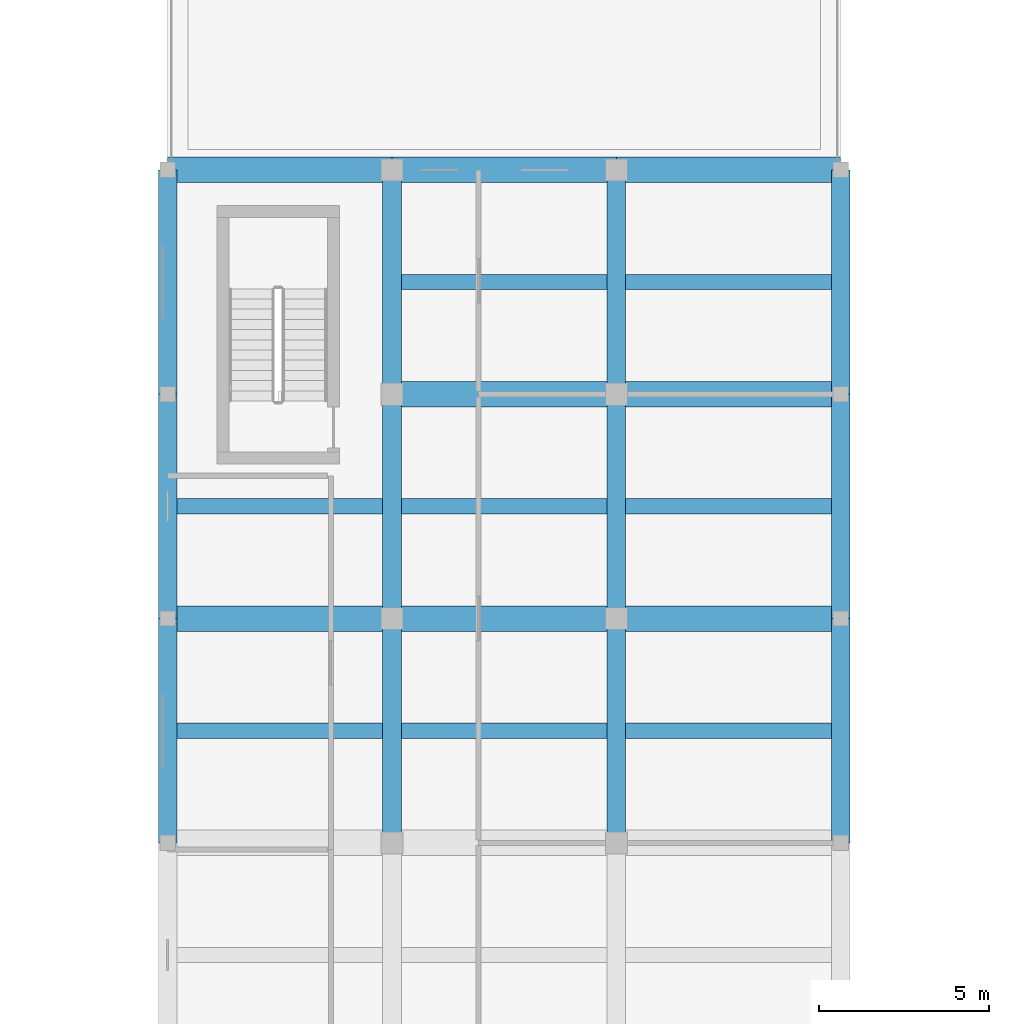
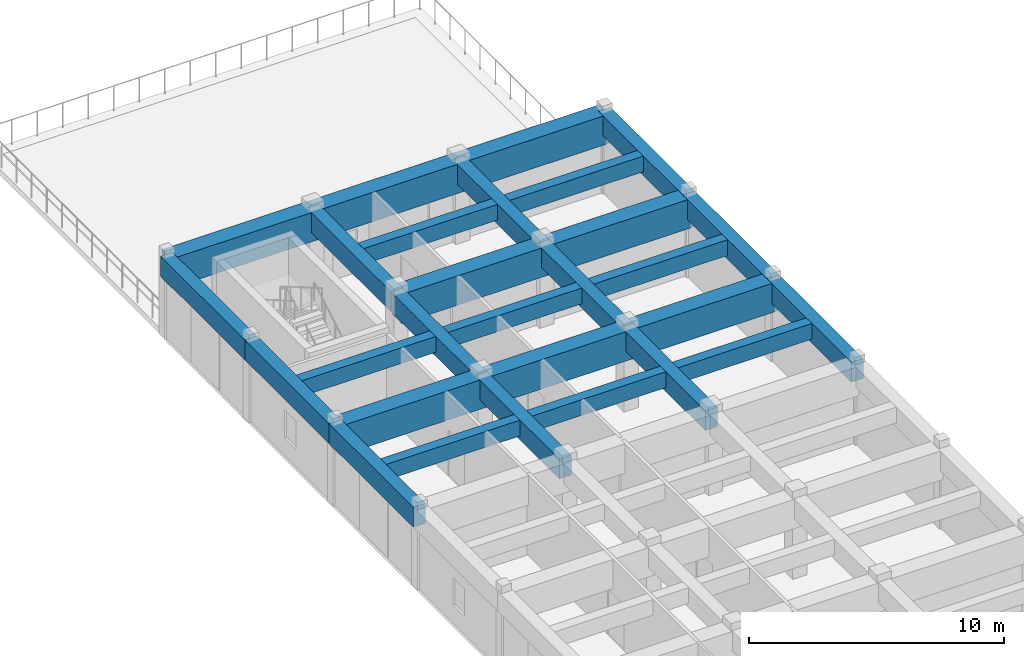
# One storey, part 88 of 130: 28 beams.
"""IFC4 building model written with IfcOpenShell, lengths in metres."""

from ifc_helpers import new_model, si_unit, direction, frame, origin, origin_2d, place, context, subcontext, project, spatial, rectangle, extrude, material, material_profile, profile_set, type_object, element, save


model = new_model("IFC4")

# Units and contexts
model_context = context("Model", 3, precision=1e-05, world=origin(), true_north=direction((0.0, 1.0)))
body_context = subcontext(model_context, "Body", "Model", "MODEL_VIEW")
ifc_project = project(units=[si_unit("LENGTHUNIT", "METRE"), si_unit("AREAUNIT", "SQUARE_METRE"), si_unit("VOLUMEUNIT", "CUBIC_METRE"), si_unit("PLANEANGLEUNIT", "RADIAN"), si_unit("MASSUNIT", "GRAM", prefix="KILO")], contexts=[model_context])

# Site, building, storey
site_placement = place(None, origin())
site = spatial("IfcSite", under=ifc_project, at=site_placement, CompositionType="ELEMENT")
building_placement = place(site_placement, origin())
building = spatial("IfcBuilding", under=site, at=building_placement, Name="Karori Crest Natural Sciences Institute", CompositionType="ELEMENT")
storey_placement = place(building_placement, frame((0.0, 0.0, 17.5)))
storey = spatial("IfcBuildingStorey", under=building, at=storey_placement, Name="L04", CompositionType="ELEMENT", Elevation=17.5)

# Beams
ifc_material = material(Name="Concrete 50 MPa", Category="concrete")
ifc_material_profile_1 = material_profile(ifc_material, rectangle(XDim=0.75, YDim=1.39990234375, at=origin_2d()), Name="RCB750x1400")
ifc_profile_set_1 = profile_set([ifc_material_profile_1], Name="Concrete 50 MPa")
beam_type_1 = type_object("IfcBeamType", Name="BT-17", PredefinedType="BEAM", material=ifc_profile_set_1)
for number, where, z_axis, x_axis, name in (
    (1, (7.39990234375, 147.800048828125, 3.14990234375), (1.0, 0.0, 0.0), (0.0, 1.0, 0.0), "Beam B-1767"),
    (2, (14.0, 147.800048828125, 3.14990234375), (1.0, 0.0, 0.0), (0.0, 1.0, 0.0), "Beam B-1768"),
):
    element("IfcBeam", number, at=place(storey_placement, frame(where, z_axis=z_axis, x_axis=x_axis)), inside=storey, type_object=beam_type_1, Name=name, PredefinedType="BEAM", context=body_context, shape_type="SweptSolid", body=[
        extrude(rectangle(XDim=0.75, YDim=1.39990234375, at=origin_2d()), origin(), (0.0, 0.0, 1.0), 6.60009765625),
    ])
beam_1_placement = place(storey_placement, frame((20.60009765625, 147.800048828125, 3.14990234375), z_axis=(1.0, 0.0, 0.0), x_axis=(0.0, 1.0, 0.0)))
element("IfcBeam", 3, at=beam_1_placement, inside=storey, type_object=beam_type_1, Name="Beam B-1769", PredefinedType="BEAM", context=body_context, shape_type="SweptSolid", body=[
    extrude(rectangle(XDim=0.75, YDim=1.39990234375, at=origin_2d()), origin(), (0.0, 0.0, 1.0), 6.599853515625),
])
ifc_material_profile_2 = material_profile(ifc_material, rectangle(XDim=0.75, YDim=1.39990234375, at=origin_2d()), Name="RCB750x1400")
ifc_profile_set_2 = profile_set([ifc_material_profile_2], Name="Concrete 50 MPa")
beam_type_2 = type_object("IfcBeamType", Name="BT-17-IL", PredefinedType="BEAM", material=ifc_profile_set_2)
for number, where, z_axis, x_axis, name in (
    (4, (7.39990234375, 134.60009765625, 3.14990234375), (1.0, 0.0, 0.0), (0.0, 1.0, 0.0), "Beam B-1762"),
    (5, (14.0, 134.60009765625, 3.14990234375), (1.0, 0.0, 0.0), (0.0, 1.0, 0.0), "Beam B-1763"),
):
    element("IfcBeam", number, at=place(storey_placement, frame(where, z_axis=z_axis, x_axis=x_axis)), inside=storey, type_object=beam_type_2, Name=name, PredefinedType="BEAM", context=body_context, shape_type="SweptSolid", body=[
        extrude(rectangle(XDim=0.75, YDim=1.39990234375, at=origin_2d()), origin(), (0.0, 0.0, 1.0), 6.60009765625),
    ])
beam_2_placement = place(storey_placement, frame((20.60009765625, 134.60009765625, 3.14990234375), z_axis=(1.0, 0.0, 0.0), x_axis=(0.0, 1.0, 0.0)))
element("IfcBeam", 6, at=beam_2_placement, inside=storey, type_object=beam_type_2, Name="Beam B-1764", PredefinedType="BEAM", context=body_context, shape_type="SweptSolid", body=[
    extrude(rectangle(XDim=0.75, YDim=1.39990234375, at=origin_2d()), origin(), (0.0, 0.0, 1.0), 6.599853515625),
])
beam_3_placement = place(storey_placement, frame((14.0, 141.199951171875, 3.14990234375), z_axis=(1.0, 0.0, 0.0), x_axis=(0.0, 1.0, 0.0)))
element("IfcBeam", 7, at=beam_3_placement, inside=storey, type_object=beam_type_2, Name="Beam B-1765", PredefinedType="BEAM", context=body_context, shape_type="SweptSolid", body=[
    extrude(rectangle(XDim=0.75, YDim=1.39990234375, at=origin_2d()), origin(), (0.0, 0.0, 1.0), 6.60009765625),
])
beam_4_placement = place(storey_placement, frame((20.60009765625, 141.199951171875, 3.14990234375), z_axis=(1.0, 0.0, 0.0), x_axis=(0.0, 1.0, 0.0)))
element("IfcBeam", 8, at=beam_4_placement, inside=storey, type_object=beam_type_2, Name="Beam B-1766", PredefinedType="BEAM", context=body_context, shape_type="SweptSolid", body=[
    extrude(rectangle(XDim=0.75, YDim=1.39990234375, at=origin_2d()), origin(), (0.0, 0.0, 1.0), 6.599853515625),
])
ifc_material_profile_3 = material_profile(ifc_material, rectangle(XDim=0.550048828125, YDim=0.949951171875, at=origin_2d()), Name="RCB550x950")
ifc_profile_set_3 = profile_set([ifc_material_profile_3], Name="Concrete 50 MPa")
beam_type_3 = type_object("IfcBeamType", Name="BT-34", PredefinedType="BEAM", material=ifc_profile_set_3)
beam_5_placement = place(storey_placement, frame((7.39990234375, 128.0, 3.375), z_axis=(0.0, 1.0, 0.0), x_axis=(-1.0, 0.0, 0.0)))
element("IfcBeam", 9, at=beam_5_placement, inside=storey, type_object=beam_type_3, Name="Beam B-1775", PredefinedType="BEAM", context=body_context, shape_type="SweptSolid", body=[
    extrude(rectangle(XDim=0.550048828125, YDim=0.949951171875, at=origin_2d()), origin(), (0.0, 0.0, 1.0), 6.60009765625),
])
beam_6_placement = place(storey_placement, frame((7.39990234375, 134.60009765625, 3.375), z_axis=(0.0, 1.0, 0.0), x_axis=(-1.0, 0.0, 0.0)))
element("IfcBeam", 10, at=beam_6_placement, inside=storey, type_object=beam_type_3, Name="Beam B-1776", PredefinedType="BEAM", context=body_context, shape_type="SweptSolid", body=[
    extrude(rectangle(XDim=0.550048828125, YDim=0.949951171875, at=origin_2d()), origin(), (0.0, 0.0, 1.0), 6.599853515625),
])
for number, where, z_axis, x_axis, name in (
    (11, (7.39990234375, 141.199951171875, 3.375), (0.0, 1.0, 0.0), (-1.0, 0.0, 0.0), "Beam B-1777"),
    (12, (27.199951171875, 128.0, 3.375), (0.0, 1.0, 0.0), (-1.0, 0.0, 0.0), "Beam B-1799"),
):
    element("IfcBeam", number, at=place(storey_placement, frame(where, z_axis=z_axis, x_axis=x_axis)), inside=storey, type_object=beam_type_3, Name=name, PredefinedType="BEAM", context=body_context, shape_type="SweptSolid", body=[
        extrude(rectangle(XDim=0.550048828125, YDim=0.949951171875, at=origin_2d()), origin(), (0.0, 0.0, 1.0), 6.60009765625),
    ])
beam_7_placement = place(storey_placement, frame((27.199951171875, 134.60009765625, 3.375), z_axis=(0.0, 1.0, 0.0), x_axis=(-1.0, 0.0, 0.0)))
element("IfcBeam", 13, at=beam_7_placement, inside=storey, type_object=beam_type_3, Name="Beam B-1800", PredefinedType="BEAM", context=body_context, shape_type="SweptSolid", body=[
    extrude(rectangle(XDim=0.550048828125, YDim=0.949951171875, at=origin_2d()), origin(), (0.0, 0.0, 1.0), 6.599853515625),
])
beam_8_placement = place(storey_placement, frame((27.199951171875, 141.199951171875, 3.375), z_axis=(0.0, 1.0, 0.0), x_axis=(-1.0, 0.0, 0.0)))
element("IfcBeam", 14, at=beam_8_placement, inside=storey, type_object=beam_type_3, Name="Beam B-1801", PredefinedType="BEAM", context=body_context, shape_type="SweptSolid", body=[
    extrude(rectangle(XDim=0.550048828125, YDim=0.949951171875, at=origin_2d()), origin(), (0.0, 0.0, 1.0), 6.60009765625),
])
ifc_material_profile_4 = material_profile(ifc_material, rectangle(XDim=0.550048828125, YDim=0.949951171875, at=origin_2d()), Name="RCB550x950")
ifc_profile_set_4 = profile_set([ifc_material_profile_4], Name="Concrete 50 MPa")
beam_type_4 = type_object("IfcBeamType", Name="BT-34-IL", PredefinedType="BEAM", material=ifc_profile_set_4)
beam_9_placement = place(storey_placement, frame((14.0, 128.0, 3.375), z_axis=(0.0, 1.0, 0.0), x_axis=(-1.0, 0.0, 0.0)))
element("IfcBeam", 15, at=beam_9_placement, inside=storey, type_object=beam_type_4, Name="Beam B-1783", PredefinedType="BEAM", context=body_context, shape_type="SweptSolid", body=[
    extrude(rectangle(XDim=0.550048828125, YDim=0.949951171875, at=origin_2d()), origin(), (0.0, 0.0, 1.0), 6.60009765625),
])
beam_10_placement = place(storey_placement, frame((14.0, 134.60009765625, 3.375), z_axis=(0.0, 1.0, 0.0), x_axis=(-1.0, 0.0, 0.0)))
element("IfcBeam", 16, at=beam_10_placement, inside=storey, type_object=beam_type_4, Name="Beam B-1784", PredefinedType="BEAM", context=body_context, shape_type="SweptSolid", body=[
    extrude(rectangle(XDim=0.550048828125, YDim=0.949951171875, at=origin_2d()), origin(), (0.0, 0.0, 1.0), 6.599853515625),
])
for number, where, z_axis, x_axis, name in (
    (17, (14.0, 141.199951171875, 3.375), (0.0, 1.0, 0.0), (-1.0, 0.0, 0.0), "Beam B-1785"),
    (18, (20.60009765625, 128.0, 3.375), (0.0, 1.0, 0.0), (-1.0, 0.0, 0.0), "Beam B-1791"),
):
    element("IfcBeam", number, at=place(storey_placement, frame(where, z_axis=z_axis, x_axis=x_axis)), inside=storey, type_object=beam_type_4, Name=name, PredefinedType="BEAM", context=body_context, shape_type="SweptSolid", body=[
        extrude(rectangle(XDim=0.550048828125, YDim=0.949951171875, at=origin_2d()), origin(), (0.0, 0.0, 1.0), 6.60009765625),
    ])
beam_11_placement = place(storey_placement, frame((20.60009765625, 134.60009765625, 3.375), z_axis=(0.0, 1.0, 0.0), x_axis=(-1.0, 0.0, 0.0)))
element("IfcBeam", 19, at=beam_11_placement, inside=storey, type_object=beam_type_4, Name="Beam B-1792", PredefinedType="BEAM", context=body_context, shape_type="SweptSolid", body=[
    extrude(rectangle(XDim=0.550048828125, YDim=0.949951171875, at=origin_2d()), origin(), (0.0, 0.0, 1.0), 6.599853515625),
])
beam_12_placement = place(storey_placement, frame((20.60009765625, 141.199951171875, 3.375), z_axis=(0.0, 1.0, 0.0), x_axis=(-1.0, 0.0, 0.0)))
element("IfcBeam", 20, at=beam_12_placement, inside=storey, type_object=beam_type_4, Name="Beam B-1793", PredefinedType="BEAM", context=body_context, shape_type="SweptSolid", body=[
    extrude(rectangle(XDim=0.550048828125, YDim=0.949951171875, at=origin_2d()), origin(), (0.0, 0.0, 1.0), 6.60009765625),
])
ifc_material_profile_5 = material_profile(ifc_material, rectangle(XDim=0.449951171875, YDim=0.75, at=origin_2d()), Name="RCB450x750")
ifc_profile_set_5 = profile_set([ifc_material_profile_5], Name="Concrete 50 MPa")
beam_type_5 = type_object("IfcBeamType", Name="BT-35", PredefinedType="BEAM", material=ifc_profile_set_5)
for number, where, z_axis, x_axis, name in (
    (21, (7.675048828125, 131.300048828125, 3.47509765625), (1.0, 0.0, 0.0), (0.0, 1.0, 0.0), "Beam B-1805"),
    (22, (7.675048828125, 137.89990234375, 3.47509765625), (1.0, 0.0, 0.0), (0.0, 1.0, 0.0), "Beam B-1806"),
    (23, (14.27490234375, 131.300048828125, 3.47509765625), (1.0, 0.0, 0.0), (0.0, 1.0, 0.0), "Beam B-1812"),
    (24, (14.27490234375, 137.89990234375, 3.47509765625), (1.0, 0.0, 0.0), (0.0, 1.0, 0.0), "Beam B-1813"),
    (25, (14.27490234375, 144.5, 3.47509765625), (1.0, 0.0, 0.0), (0.0, 1.0, 0.0), "Beam B-1814"),
    (26, (20.875, 131.300048828125, 3.47509765625), (1.0, 0.0, 0.0), (0.0, 1.0, 0.0), "Beam B-1819"),
    (27, (20.875, 137.89990234375, 3.47509765625), (1.0, 0.0, 0.0), (0.0, 1.0, 0.0), "Beam B-1820"),
    (28, (20.875, 144.5, 3.47509765625), (1.0, 0.0, 0.0), (0.0, 1.0, 0.0), "Beam B-1821"),
):
    element("IfcBeam", number, at=place(storey_placement, frame(where, z_axis=z_axis, x_axis=x_axis)), inside=storey, type_object=beam_type_5, Name=name, PredefinedType="BEAM", context=body_context, shape_type="SweptSolid", body=[
        extrude(rectangle(XDim=0.449951171875, YDim=0.75, at=origin_2d()), origin(), (0.0, 0.0, 1.0), 6.050048828125),
    ])

save(model, "model.ifc")
